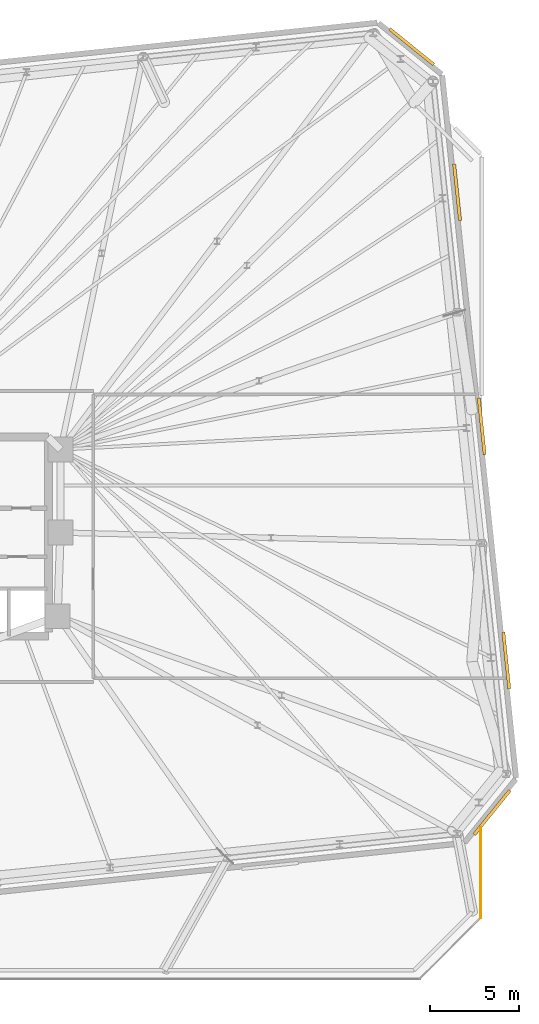
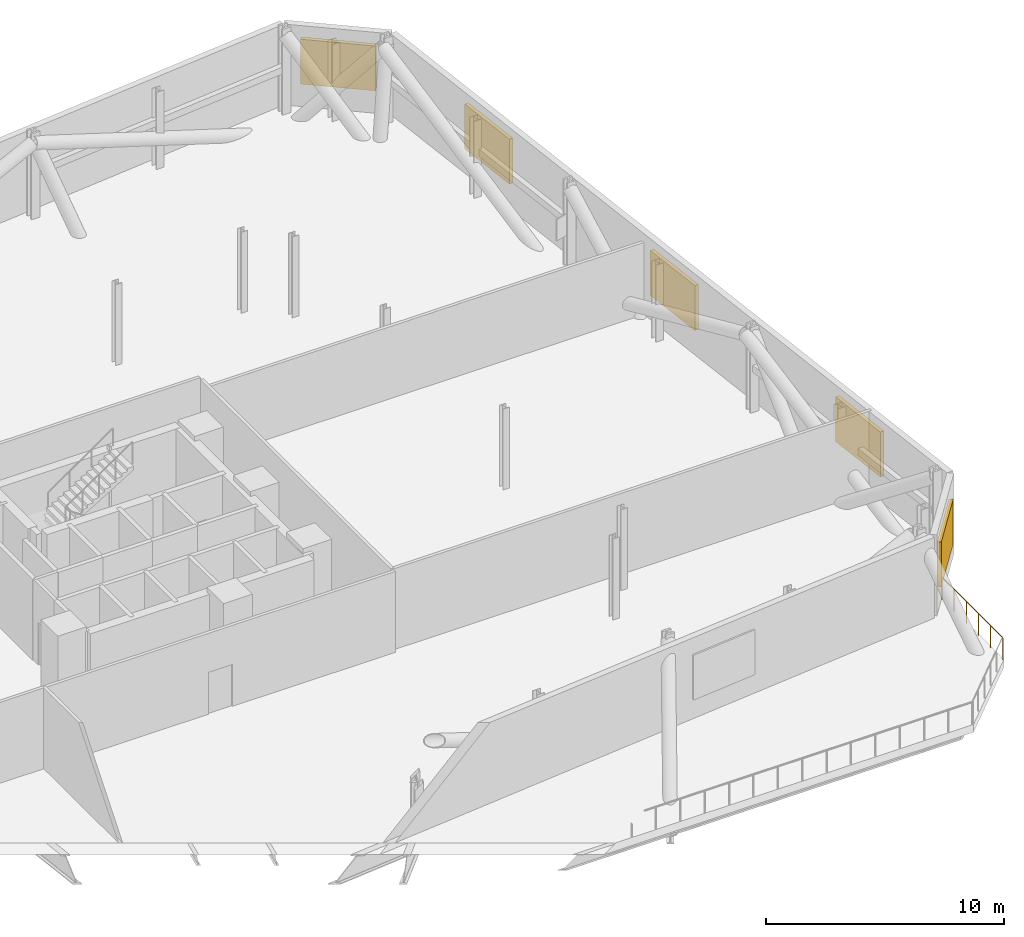
# One storey, part 17 of 17: 5 shading devices, 1 railing.
"""IFC4 building model written with IfcOpenShell, lengths in metres."""

import ifcopenshell
import ifcopenshell.guid

model = None  # the IFC model being written
_history = None  # IfcOwnerHistory: only IFC2X3 demands one
_inside = {}  # id of a spatial element -> (the spatial element, [elements in it])
_under = {}  # id of a project, library or spatial element -> (it, [spatial elements below it])
_declared = {}  # id of a project -> (the project, [libraries it declares])
_typed = {}  # id of a type object -> (the type object, [elements of that type])
_made_of = {}  # id of a material, layer set ... -> (it, [elements and type objects made of it])


def new_model(schema):
    """Start an empty IFC model of exactly this schema.

    Asked for "IFC4X3", IfcOpenShell would pick the latest addendum, in which some entities
    have other attributes; the version numbers below select the first issue.
    IFC2X3 requires an IfcOwnerHistory on every rooted entity: one is made here for all.
    """
    global model, _history
    if schema == "IFC4X3":
        model = ifcopenshell.file(schema_version=(4, 3, 0, 0))
    else:
        model = ifcopenshell.file(schema=schema)
    _inside.clear()
    _under.clear()
    _declared.clear()
    _typed.clear()
    _made_of.clear()
    _history = None
    if model.schema == "IFC2X3":
        org = make("IfcOrganization", Name="unknown")
        user = make(
            "IfcPersonAndOrganization",
            ThePerson=make("IfcPerson", FamilyName="unknown"),
            TheOrganization=org,
        )
        app = make(
            "IfcApplication",
            ApplicationDeveloper=org,
            Version="unknown",
            ApplicationFullName="unknown",
            ApplicationIdentifier="unknown",
        )
        _history = make(
            "IfcOwnerHistory",
            OwningUser=user,
            OwningApplication=app,
            ChangeAction="ADDED",
            CreationDate=0,
        )
    return model


def make(cls, **values):
    """One entity of the class cls with the attributes given. An attribute that is None is left unset."""
    return model.create_entity(
        cls, **{name: value for name, value in values.items() if value is not None}
    )


def rooted(cls, **values):
    """An entity with a GlobalId (a new one), such as an element, a storey or a relation."""
    return make(cls, GlobalId=ifcopenshell.guid.new(), OwnerHistory=_history, **values)


def si_unit(unit_type, name, prefix=None):
    """IfcSIUnit, for example si_unit("LENGTHUNIT", "METRE", prefix="MILLI")."""
    return make("IfcSIUnit", UnitType=unit_type, Prefix=prefix, Name=name)


def assignment(units):
    """IfcUnitAssignment: the units of a project."""
    return None if units is None else make("IfcUnitAssignment", Units=units)


def point(xyz):
    """IfcCartesianPoint."""
    return None if xyz is None else make("IfcCartesianPoint", Coordinates=xyz)


def direction(xyz):
    """IfcDirection."""
    return None if xyz is None else make("IfcDirection", DirectionRatios=xyz)


def frame(location, z_axis=None, x_axis=None):
    """IfcAxis2Placement3D, a coordinate frame: its origin and axes. An axis left out is left unset."""
    return make(
        "IfcAxis2Placement3D",
        Location=point(location),
        Axis=direction(z_axis),
        RefDirection=direction(x_axis),
    )


def frame_2d(location, x_axis=None):
    """IfcAxis2Placement2D, a coordinate frame in the plane: its origin and x axis."""
    return make(
        "IfcAxis2Placement2D", Location=point(location), RefDirection=direction(x_axis)
    )


def origin():
    """The frame at (0, 0, 0) with its axes left unset."""
    return frame((0.0, 0.0, 0.0))


def origin_2d():
    """The frame at (0, 0) in the plane with its x axis left unset."""
    return frame_2d((0.0, 0.0))


def place(relative_to, where):
    """IfcLocalPlacement: puts the frame where relative to a parent placement (None: the world)."""
    return make(
        "IfcLocalPlacement", PlacementRelTo=relative_to, RelativePlacement=where
    )


def context(
    kind, dimensions, precision=None, world=None, true_north=None, identifier=None
):
    """IfcGeometricRepresentationContext, for example the 3D "Model" context."""
    return make(
        "IfcGeometricRepresentationContext",
        ContextIdentifier=identifier,
        ContextType=kind,
        CoordinateSpaceDimension=dimensions,
        Precision=precision,
        WorldCoordinateSystem=world,
        TrueNorth=true_north,
    )


def subcontext(parent, identifier, kind, view, scale=None):
    """IfcGeometricRepresentationSubContext, for example "Body" below "Model"."""
    return make(
        "IfcGeometricRepresentationSubContext",
        ContextIdentifier=identifier,
        ContextType=kind,
        ParentContext=parent,
        TargetScale=scale,
        TargetView=view,
    )


def project(units=None, contexts=None):
    """IfcProject with its units and contexts."""
    return rooted(
        "IfcProject",
        Name="project",
        RepresentationContexts=contexts,
        UnitsInContext=assignment(units),
    )


def spatial(cls, under=None, at=None, **own):
    """A site, building, storey or space (cls), placed at a placement, below another one or the project."""
    s = rooted(cls, ObjectPlacement=at, **own)
    if under is not None:
        _under.setdefault(under.id(), (under, []))[1].append(s)
    return s


def profile(cls, at=None, kind="AREA", **sizes):
    """A parametric profile (cls). Its sizes go by their IFC names, for example OverallWidth=200.0."""
    return make(cls, ProfileType=kind, Position=at, **sizes)


def rectangle(**sizes):
    """IfcRectangleProfileDef."""
    return profile("IfcRectangleProfileDef", **sizes)


def circle(**sizes):
    """IfcCircleProfileDef."""
    return profile("IfcCircleProfileDef", **sizes)


def extrude(swept, where, along, depth):
    """IfcExtrudedAreaSolid: the profile swept, set in the frame where, extruded along a direction by depth."""
    return make(
        "IfcExtrudedAreaSolid",
        SweptArea=swept,
        Position=where,
        ExtrudedDirection=direction(along),
        Depth=depth,
    )


def shape(context_of_items, identifier, shape_type, items):
    """IfcShapeRepresentation: the items that make up one representation, for example the "Body"."""
    return make(
        "IfcShapeRepresentation",
        ContextOfItems=context_of_items,
        RepresentationIdentifier=identifier,
        RepresentationType=shape_type,
        Items=items,
    )


def material(Name=None, Category=None):
    """IfcMaterial."""
    return make("IfcMaterial", Name=Name, Category=Category)


def layer(
    of_material, thickness, ventilated=None, Name=None, Category=None, Priority=None
):
    """IfcMaterialLayer: one layer of a wall or slab, of a material (None: an air gap)."""
    return make(
        "IfcMaterialLayer",
        Material=of_material,
        LayerThickness=thickness,
        IsVentilated=ventilated,
        Name=Name,
        Category=Category,
        Priority=Priority,
    )


def layer_set(layers, Name=None):
    """IfcMaterialLayerSet."""
    return make("IfcMaterialLayerSet", MaterialLayers=layers, LayerSetName=Name)


def made_of(thing, what):
    """Note that an element or type object is made of a material, layer set ...; save() writes the relation."""
    if what is not None:
        _made_of.setdefault(what.id(), (what, []))[1].append(thing)
    return thing


def type_object(cls, material=None, **own):
    """A type object (cls), such as IfcWallType, which elements share."""
    return made_of(rooted(cls, **own), material)


def element(
    cls,
    number,
    at=None,
    inside=None,
    cuts=None,
    type_object=None,
    material=None,
    context=None,
    identifier="Body",
    shape_type=None,
    held_by="IfcProductDefinitionShape",
    body=None,
    shapes=None,
    **own,
):
    """One element of the class cls, such as IfcWall. Its Tag is "e" and its number.

    at: its placement. inside: the storey or other place that contains it. cuts: it is an
    opening in that element (IfcRelVoidsElement). A single representation is given by context,
    identifier, shape_type and body (its items); several are given by shapes. held_by: the class
    of the entity that holds the representations. save() writes the other relations.
    """
    e = rooted(cls, Tag="e%d" % number, ObjectPlacement=at, **own)
    if body is not None:
        shapes = [shape(context, identifier, shape_type, body)]
    if shapes is not None:
        e.Representation = make(held_by, Representations=shapes)
    if inside is not None:
        _inside.setdefault(inside.id(), (inside, []))[1].append(e)
    if cuts is not None:
        rooted(
            "IfcRelVoidsElement", RelatingBuildingElement=cuts, RelatedOpeningElement=e
        )
    if type_object is not None:
        _typed.setdefault(type_object.id(), (type_object, []))[1].append(e)
    return made_of(e, material)


def aggregate(whole, parts):
    """IfcRelAggregates: a whole, such as a stair, and the parts it consists of."""
    return rooted("IfcRelAggregates", RelatingObject=whole, RelatedObjects=parts)


def save(model, path):
    """Write the relations noted so far, then the file.

    IfcRelAggregates (storeys below a building ...), IfcRelContainedInSpatialStructure (elements
    in a storey), IfcRelDefinesByType, IfcRelAssociatesMaterial and IfcRelDeclares: one each for
    every whole, place, type object, material and project.
    """
    for whole, parts in _under.values():
        aggregate(whole, parts)
    for where, things in _inside.values():
        rooted(
            "IfcRelContainedInSpatialStructure",
            RelatedElements=things,
            RelatingStructure=where,
        )
    for kind, things in _typed.values():
        rooted("IfcRelDefinesByType", RelatedObjects=things, RelatingType=kind)
    for what, things in _made_of.values():
        rooted("IfcRelAssociatesMaterial", RelatedObjects=things, RelatingMaterial=what)
    for by, libraries in _declared.values():
        rooted("IfcRelDeclares", RelatingContext=by, RelatedDefinitions=libraries)
    model.write(path)


model = new_model("IFC4")

# Units and contexts
model_context = context("Model", 3, precision=1e-05, world=origin(), true_north=direction((0.0, 1.0)))
body_context = subcontext(model_context, "Body", "Model", "MODEL_VIEW")
ifc_project = project(units=[si_unit("LENGTHUNIT", "METRE"), si_unit("AREAUNIT", "SQUARE_METRE"), si_unit("VOLUMEUNIT", "CUBIC_METRE"), si_unit("PLANEANGLEUNIT", "RADIAN"), si_unit("MASSUNIT", "GRAM", prefix="KILO")], contexts=[model_context])

# Site, building, storey
site_placement = place(None, origin())
site = spatial("IfcSite", under=ifc_project, at=site_placement, CompositionType="ELEMENT")
building_placement = place(site_placement, origin())
building = spatial("IfcBuilding", under=site, at=building_placement, Name="Menara Jurai Vektor", CompositionType="ELEMENT")
storey_placement = place(building_placement, frame((0.0, 0.0, 78.800048828125)))
storey = spatial("IfcBuildingStorey", under=building, at=storey_placement, Name="L19", CompositionType="ELEMENT", Elevation=78.800048828125)

# Railing
ifc_material_1 = material(Name="Anodised Pale Aluminium & Laminated Glass Guardrail", Category="aluminium")
ifc_layer = layer(ifc_material_1, 0.070068359375)
ifc_layer_set = layer_set([ifc_layer], Name="Anodised Pale Aluminium & Laminated Glass Guardrail")
railing_type = type_object("IfcRailingType", Name="ENV-RAIL-TER115", PredefinedType="GUARDRAIL", material=ifc_layer_set)
railing_placement = place(storey_placement, frame((38.93994140625, -21.5, 0.0)))
element("IfcRailing", 1, at=railing_placement, inside=storey, type_object=railing_type, Name="Spiral Terrace Guardrail L19-STEP-07", PredefinedType="GUARDRAIL", context=body_context, shape_type="SweptSolid", body=[
    extrude(circle(Radius=0.02392578125, at=origin_2d()), frame((0.0, 0.0, 1.1259765625), z_axis=(0.0, 1.0, 0.0), x_axis=(-1.0, 0.0, 0.0)), (0.0, 0.0, 1.0), 5.107177734375),
    extrude(circle(Radius=0.02099609375, at=origin_2d()), origin(), (0.0, 0.0, 1.0), 1.101806640625),
    extrude(circle(Radius=0.02099609375, at=origin_2d()), frame((0.0, 1.021484375, 0.0)), (0.0, 0.0, 1.0), 1.101806640625),
    extrude(circle(Radius=0.02099609375, at=origin_2d()), frame((0.0, 2.04296875, 0.0)), (0.0, 0.0, 1.0), 1.101806640625),
    extrude(circle(Radius=0.02099609375, at=origin_2d()), frame((0.0, 3.064208984375, 0.0)), (0.0, 0.0, 1.0), 1.101806640625),
    extrude(circle(Radius=0.02099609375, at=origin_2d()), frame((0.0, 4.085693359375, 0.0)), (0.0, 0.0, 1.0), 1.101806640625),
    extrude(circle(Radius=0.02099609375, at=origin_2d()), frame((0.0, 5.107177734375, 0.0)), (0.0, 0.0, 1.0), 1.101806640625),
])

# Shading devices
ifc_material_2 = material(Name="Anodised Pale Aluminium Acoustic Louvre", Category="aluminium")
shading_device_type = type_object("IfcShadingDeviceType", Name="ENV-SHD-LOUVRE", PredefinedType="USERDEFINED", material=ifc_material_2)
for number, where, z_axis, x_axis, name in (
    (2, (39.5771484375, -15.552978515625, 1.0078125), (0.0, 0.0, 1.0), (0.62932039105, 0.777145961457, 0.0), "Acoustic Plant Weather Louvre L19-E02-1"),
    (3, (40.377685546875, -6.993408203125, 1.0078125), (0.0, 0.0, 1.0), (-0.104528463268, 0.994521895368, 0.0), "Acoustic Plant Weather Louvre L19-E03-1"),
    (4, (38.99072265625, 6.203857421875, 1.0078125), (0.0, 0.0, 1.0), (-0.104528463268, 0.994521895368, 0.0), "Acoustic Plant Weather Louvre L19-E03-2"),
    (5, (37.603515625, 19.401123046875, 1.0078125), (0.0, 0.0, 1.0), (-0.104528463268, 0.994521895368, 0.0), "Acoustic Plant Weather Louvre L19-E03-3"),
    (6, (35.040771484375, 27.607177734375, 1.0078125), (0.0, 0.0, 1.0), (-0.777145961457, 0.62932039105, 0.0), "Acoustic Plant Weather Louvre L19-E04-1"),
):
    element("IfcShadingDevice", number, at=place(storey_placement, frame(where, z_axis=z_axis, x_axis=x_axis)), inside=storey, type_object=shading_device_type, Name=name, ObjectType="LOUVRE", PredefinedType="USERDEFINED", context=body_context, shape_type="SweptSolid", body=[
        extrude(rectangle(XDim=3.199951171875, YDim=0.179931640625, at=origin_2d()), origin(), (0.0, 0.0, 1.0), 2.300048828125),
    ])

save(model, "model.ifc")
